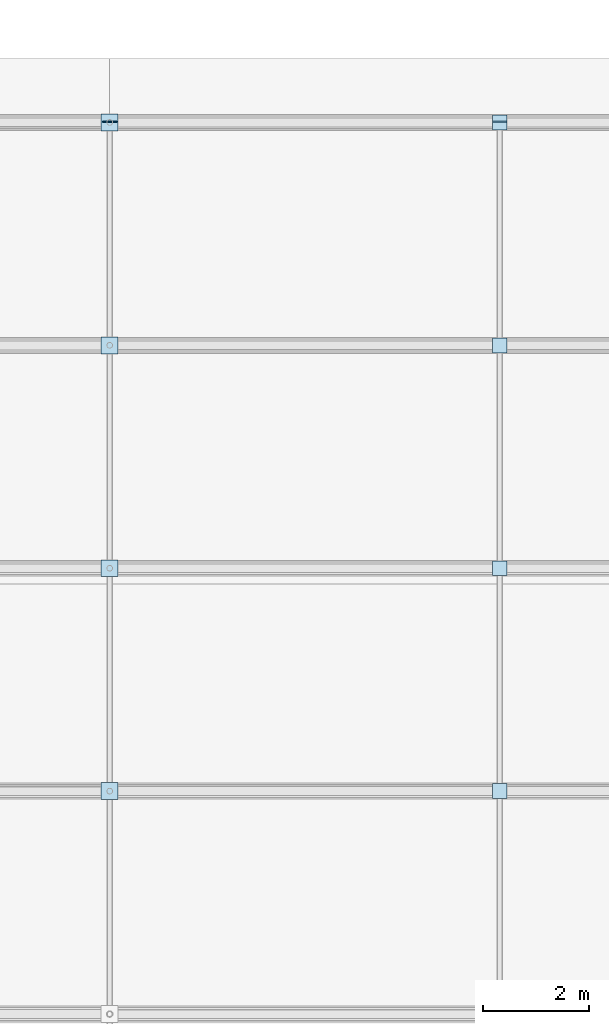
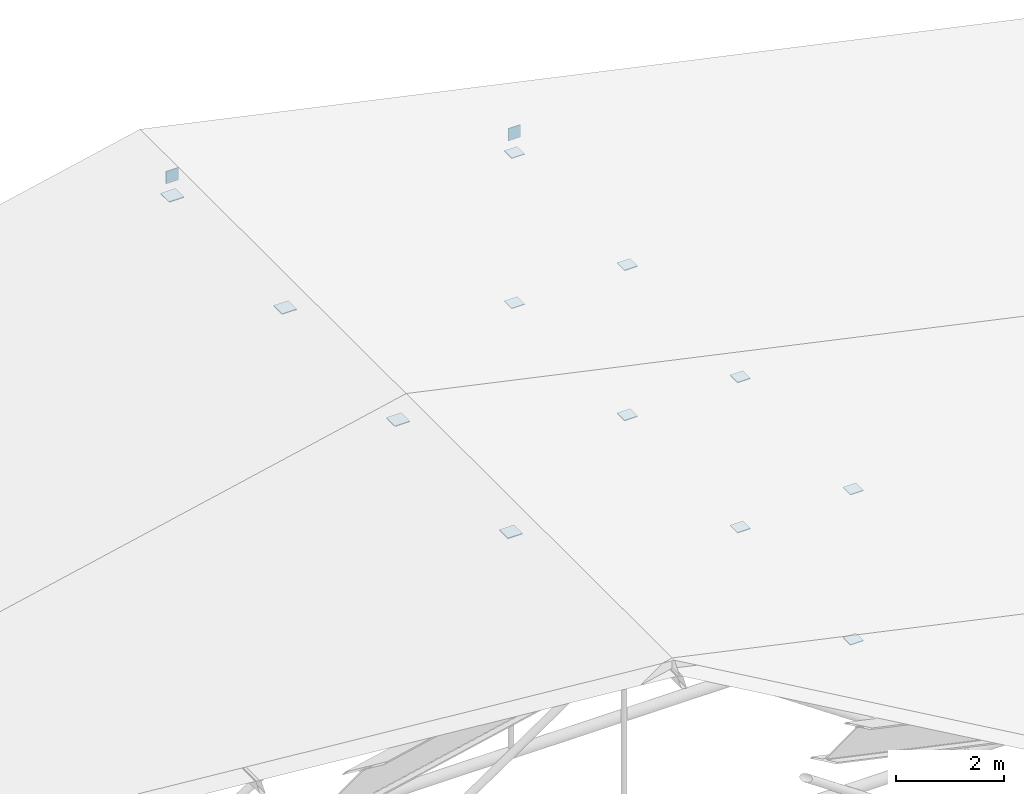
# One storey, part 54 of 60: 14 plates.
"""IFC4 building model written with IfcOpenShell, lengths in metres."""

from ifc_helpers import new_model, si_unit, direction, frame, origin, origin_2d, place, context, subcontext, project, spatial, rectangle, extrude, material, type_object, element, save


model = new_model("IFC4")

# Units and contexts
model_context = context("Model", 3, precision=1e-05, world=origin(), true_north=direction((0.0, 1.0)))
body_context = subcontext(model_context, "Body", "Model", "MODEL_VIEW")
ifc_project = project(units=[si_unit("LENGTHUNIT", "METRE"), si_unit("AREAUNIT", "SQUARE_METRE"), si_unit("VOLUMEUNIT", "CUBIC_METRE"), si_unit("PLANEANGLEUNIT", "RADIAN"), si_unit("MASSUNIT", "GRAM", prefix="KILO")], contexts=[model_context])

# Site, building, storey
site_placement = place(None, origin())
site = spatial("IfcSite", under=ifc_project, at=site_placement, CompositionType="ELEMENT")
building_placement = place(site_placement, origin())
building = spatial("IfcBuilding", under=site, at=building_placement, Name="Nakhvara Creek Congress Hotel", CompositionType="ELEMENT")
storey_placement = place(building_placement, frame((0.0, 0.0, 54.60009765625)))
storey = spatial("IfcBuildingStorey", under=building, at=storey_placement, Name="RL1", CompositionType="ELEMENT", Elevation=54.60009765625)

# Plates
ifc_material = material(Name="Steel S355J2", Category="steel")
plate_type_1 = type_object("IfcPlateType", Name="PLT-CAP-260X280X20", PredefinedType="USERDEFINED", material=ifc_material)
for number, where, z_axis, x_axis, name in (
    (1, (26.39990234375, 124.81005859375, -36.57373046875), (0.0, 0.0, 1.0), (1.0, 0.0, 0.0), "Ballroom Purlin End-Cap Plate SN08-4N"),
    (2, (33.75, 124.81005859375, -38.173828125), (0.0, 0.0, 1.0), (1.0, 0.0, 0.0), "Ballroom Purlin End-Cap Plate SN08-5N"),
):
    element("IfcPlate", number, at=place(storey_placement, frame(where, z_axis=z_axis, x_axis=x_axis)), inside=storey, type_object=plate_type_1, Name=name, ObjectType="GUSSET_PLATE", PredefinedType="USERDEFINED", context=body_context, shape_type="SweptSolid", body=[
        extrude(rectangle(XDim=0.260009765625, YDim=0.02001953125, at=origin_2d()), origin(), (0.0, 0.0, 1.0), 0.280029296875),
    ])
plate_type_2 = type_object("IfcPlateType", Name="PLT-NODE-280X280X18", PredefinedType="USERDEFINED", material=ifc_material)
for number, where, z_axis, x_axis, name in (
    (3, (33.75, 112.199951171875, -41.899169921875), (0.0, 0.0, 1.0), (1.0, 0.0, 0.0), "Ballroom Truss Node Gusset Plate SN-062"),
    (4, (33.75, 112.199951171875, -38.489013671875), (0.0, 0.0, 1.0), (1.0, 0.0, 0.0), "Ballroom Truss Rafter Gusset Plate SN-063"),
    (5, (33.75, 116.39990234375, -41.899169921875), (0.0, 0.0, 1.0), (1.0, 0.0, 0.0), "Ballroom Truss Node Gusset Plate SN-073"),
    (6, (33.75, 116.39990234375, -38.489013671875), (0.0, 0.0, 1.0), (1.0, 0.0, 0.0), "Ballroom Truss Rafter Gusset Plate SN-074"),
    (7, (33.75, 120.60009765625, -41.899169921875), (0.0, 0.0, 1.0), (1.0, 0.0, 0.0), "Ballroom Truss Node Gusset Plate SN-084"),
    (8, (33.75, 120.60009765625, -38.489013671875), (0.0, 0.0, 1.0), (1.0, 0.0, 0.0), "Ballroom Truss Rafter Gusset Plate SN-085"),
    (9, (33.75, 124.800048828125, -41.899169921875), (0.0, 0.0, 1.0), (1.0, 0.0, 0.0), "Ballroom Truss Node Gusset Plate SN-095"),
    (10, (33.75, 124.800048828125, -38.489013671875), (0.0, 0.0, 1.0), (1.0, 0.0, 0.0), "Ballroom Truss Rafter Gusset Plate SN-096"),
):
    element("IfcPlate", number, at=place(storey_placement, frame(where, z_axis=z_axis, x_axis=x_axis)), inside=storey, type_object=plate_type_2, Name=name, ObjectType="GUSSET_PLATE", PredefinedType="USERDEFINED", context=body_context, shape_type="SweptSolid", body=[
        extrude(rectangle(XDim=0.280029296875, YDim=0.280029296875, at=origin_2d()), origin(), (0.0, 0.0, 1.0), 0.01806640625),
    ])
plate_type_3 = type_object("IfcPlateType", Name="PLT-NODE-320X320X20", PredefinedType="USERDEFINED", material=ifc_material)
for number, where, z_axis, x_axis, name in (
    (11, (26.39990234375, 112.199951171875, -36.89013671875), (0.0, 0.0, 1.0), (1.0, 0.0, 0.0), "Ballroom Truss Node Gusset Plate SN-061"),
    (12, (26.39990234375, 116.39990234375, -36.89013671875), (0.0, 0.0, 1.0), (1.0, 0.0, 0.0), "Ballroom Truss Node Gusset Plate SN-072"),
    (13, (26.39990234375, 120.60009765625, -36.89013671875), (0.0, 0.0, 1.0), (1.0, 0.0, 0.0), "Ballroom Truss Node Gusset Plate SN-083"),
    (14, (26.39990234375, 124.800048828125, -36.89013671875), (0.0, 0.0, 1.0), (1.0, 0.0, 0.0), "Ballroom Truss Node Gusset Plate SN-094"),
):
    element("IfcPlate", number, at=place(storey_placement, frame(where, z_axis=z_axis, x_axis=x_axis)), inside=storey, type_object=plate_type_3, Name=name, ObjectType="GUSSET_PLATE", PredefinedType="USERDEFINED", context=body_context, shape_type="SweptSolid", body=[
        extrude(rectangle(XDim=0.320068359375, YDim=0.320068359375, at=origin_2d()), origin(), (0.0, 0.0, 1.0), 0.02001953125),
    ])

save(model, "model.ifc")
